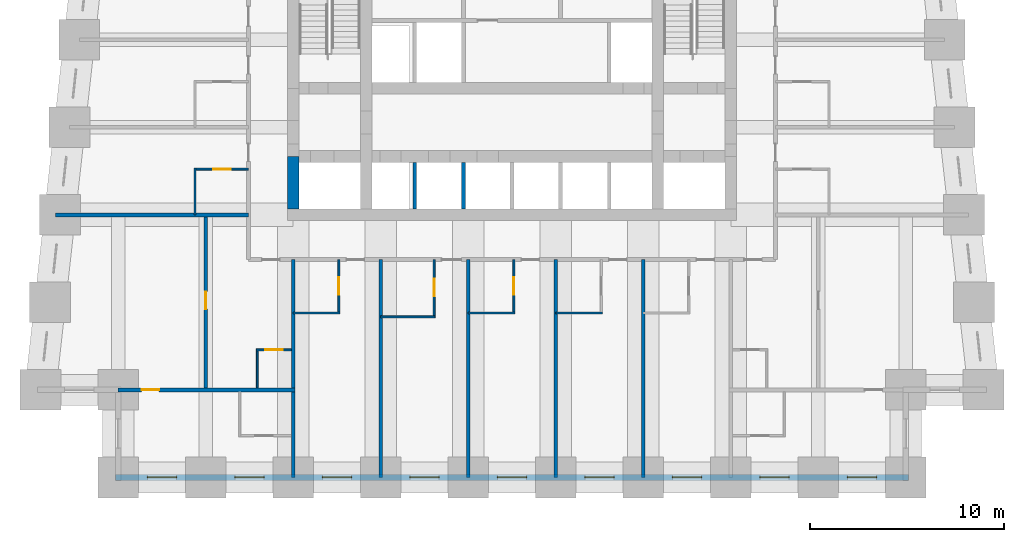
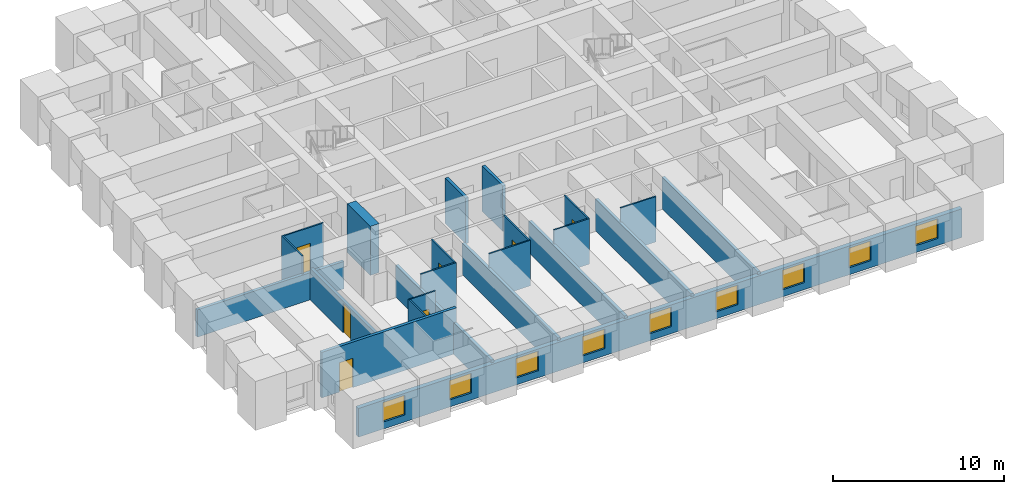
# One storey, part 2 of 8: 23 walls, 9 windows, 7 doors, 16 openings.
"""IFC4 building model written with IfcOpenShell, lengths in metres."""

from ifc_helpers import new_model, si_unit, direction, frame, frame_2d, origin, place, context, subcontext, project, spatial, rectangle, extrude, material, layer, layer_set, type_object, element, fill, save


model = new_model("IFC4")

# Units and contexts
model_context = context("Model", 3, precision=1e-05, world=origin(), true_north=direction((0.0, 1.0)))
body_context = subcontext(model_context, "Body", "Model", "MODEL_VIEW")
ifc_project = project(units=[si_unit("LENGTHUNIT", "METRE"), si_unit("AREAUNIT", "SQUARE_METRE"), si_unit("VOLUMEUNIT", "CUBIC_METRE"), si_unit("PLANEANGLEUNIT", "RADIAN"), si_unit("MASSUNIT", "GRAM", prefix="KILO")], contexts=[model_context])

# Site, building, storey
site_placement = place(None, origin())
site = spatial("IfcSite", under=ifc_project, at=site_placement, CompositionType="ELEMENT")
building_placement = place(site_placement, origin())
building = spatial("IfcBuilding", under=site, at=building_placement, Name="Kilele Tower Hotel", CompositionType="ELEMENT")
storey_placement = place(building_placement, frame((0.0, 0.0, 33.199951171875)))
storey = spatial("IfcBuildingStorey", under=building, at=storey_placement, Name="L06", CompositionType="ELEMENT", Elevation=33.199951171875)

# Wall
ifc_material_1 = material(Name="Moisture-resistant board")
ifc_layer_1 = layer(ifc_material_1, 0.10009765625)
ifc_layer_set_1 = layer_set([ifc_layer_1], Name="Moisture-resistant board")
wall_type_1 = type_object("IfcWallType", Name="Bathroom partition 100", PredefinedType="PLUMBINGWALL", material=ifc_layer_set_1)
wall_1_placement = place(storey_placement, frame((13.5, 8.449951171875, 0.0), z_axis=(0.0, 0.0, 1.0), x_axis=(1.0, 0.0, 0.0)))
element("IfcWall", 1, at=wall_1_placement, inside=storey, type_object=wall_type_1, Name="Bathroom partition 100 L06", PredefinedType="PLUMBINGWALL", context=body_context, shape_type="SweptSolid", body=[
    extrude(rectangle(XDim=2.39990234375, YDim=0.10009765625, at=frame_2d((1.199951171875, 0.0))), origin(), (0.0, 0.0, 1.0), 3.25),
])

# Wall, opening, door
wall_2_placement = place(storey_placement, frame((15.85009765625, 11.199951171875, 0.0), z_axis=(0.0, 0.0, 1.0), x_axis=(0.0, -1.0, 0.0)))
wall_2 = element("IfcWall", 2, at=wall_2_placement, inside=storey, type_object=wall_type_1, Name="Bathroom partition 100 L06", PredefinedType="PLUMBINGWALL", context=body_context, shape_type="SweptSolid", body=[
    extrude(rectangle(XDim=2.800048828125, YDim=0.10009765625, at=frame_2d((1.39990234375, 0.0))), origin(), (0.0, 0.0, 1.0), 3.25),
])
opening_1_placement = place(wall_2_placement, frame((0.89990234375, 0.0, 0.0)))
opening_1 = element("IfcOpeningElement", 3, at=opening_1_placement, cuts=wall_2, Name="Opening D2A", PredefinedType="OPENING", context=body_context, shape_type="SweptSolid", body=[
    extrude(rectangle(XDim=0.89990234375, YDim=2.10009765625, at=frame_2d((0.449951171875, 1.050048828125))), frame((0.0, 0.06005859375, 0.0), z_axis=(0.0, -1.0, 0.0), x_axis=(1.0, 0.0, 0.0)), (0.0, 0.0, 1.0), 0.1201171875),
])
ifc_material_2 = material(Name="Timber door leaf in hardwood frame", Category="wood")
door_type_1 = type_object("IfcDoorType", Name="Bathroom door 900", OperationType="SINGLE_SWING_LEFT", PredefinedType="DOOR", material=ifc_material_2)
door_1_placement = place(opening_1_placement, origin())
door_1 = element("IfcDoor", 4, at=door_1_placement, inside=storey, type_object=door_type_1, Name="Bathroom door 0601B", OperationType="SINGLE_SWING_LEFT", OverallHeight=2.10009765625, OverallWidth=0.89990234375, PredefinedType="DOOR", context=body_context, shape_type="SweptSolid", body=[
    extrude(rectangle(XDim=0.89990234375, YDim=2.10009765625, at=frame_2d((0.449951171875, 1.050048828125))), frame((0.0, 0.02490234375, 0.0), z_axis=(0.0, -1.0, 0.0), x_axis=(1.0, 0.0, 0.0)), (0.0, 0.0, 1.0), 0.050048828125),
])
fill(opening_1, door_1)

# Wall
wall_3_placement = place(storey_placement, frame((18.0, 8.25, 0.0), z_axis=(0.0, 0.0, 1.0), x_axis=(1.0, 0.0, 0.0)))
element("IfcWall", 5, at=wall_3_placement, inside=storey, type_object=wall_type_1, Name="Bathroom partition 100 L06", PredefinedType="PLUMBINGWALL", context=body_context, shape_type="SweptSolid", body=[
    extrude(rectangle(XDim=2.800048828125, YDim=0.10009765625, at=frame_2d((1.39990234375, 0.0))), origin(), (0.0, 0.0, 1.0), 3.25),
])

# Wall, opening, door
wall_4_placement = place(storey_placement, frame((20.75, 11.199951171875, 0.0), z_axis=(0.0, 0.0, 1.0), x_axis=(0.0, -1.0, 0.0)))
wall_4 = element("IfcWall", 6, at=wall_4_placement, inside=storey, type_object=wall_type_1, Name="Bathroom partition 100 L06", PredefinedType="PLUMBINGWALL", context=body_context, shape_type="SweptSolid", body=[
    extrude(rectangle(XDim=3.0, YDim=0.10009765625, at=frame_2d((1.5, 0.0))), origin(), (0.0, 0.0, 1.0), 3.25),
])
opening_2_placement = place(wall_4_placement, frame((1.0, 0.0, 0.0)))
opening_2 = element("IfcOpeningElement", 7, at=opening_2_placement, cuts=wall_4, Name="Opening D2A", PredefinedType="OPENING", context=body_context, shape_type="SweptSolid", body=[
    extrude(rectangle(XDim=0.89990234375, YDim=2.10009765625, at=frame_2d((0.449951171875, 1.050048828125))), frame((0.0, 0.06005859375, 0.0), z_axis=(0.0, -1.0, 0.0), x_axis=(1.0, 0.0, 0.0)), (0.0, 0.0, 1.0), 0.1201171875),
])
door_2_placement = place(opening_2_placement, origin())
door_2 = element("IfcDoor", 8, at=door_2_placement, inside=storey, type_object=door_type_1, Name="Bathroom door 0602B", OperationType="SINGLE_SWING_LEFT", OverallHeight=2.10009765625, OverallWidth=0.89990234375, PredefinedType="DOOR", context=body_context, shape_type="SweptSolid", body=[
    extrude(rectangle(XDim=0.89990234375, YDim=2.10009765625, at=frame_2d((0.449951171875, 1.050048828125))), frame((0.0, 0.02490234375, 0.0), z_axis=(0.0, -1.0, 0.0), x_axis=(1.0, 0.0, 0.0)), (0.0, 0.0, 1.0), 0.050048828125),
])
fill(opening_2, door_2)

# Wall
wall_5_placement = place(storey_placement, frame((22.5, 8.449951171875, 0.0), z_axis=(0.0, 0.0, 1.0), x_axis=(1.0, 0.0, 0.0)))
element("IfcWall", 9, at=wall_5_placement, inside=storey, type_object=wall_type_1, Name="Bathroom partition 100 L06", PredefinedType="PLUMBINGWALL", context=body_context, shape_type="SweptSolid", body=[
    extrude(rectangle(XDim=2.39990234375, YDim=0.10009765625, at=frame_2d((1.199951171875, 0.0))), origin(), (0.0, 0.0, 1.0), 3.25),
])

# Wall, opening, door
wall_6_placement = place(storey_placement, frame((24.85009765625, 11.199951171875, 0.0), z_axis=(0.0, 0.0, 1.0), x_axis=(0.0, -1.0, 0.0)))
wall_6 = element("IfcWall", 10, at=wall_6_placement, inside=storey, type_object=wall_type_1, Name="Bathroom partition 100 L06", PredefinedType="PLUMBINGWALL", context=body_context, shape_type="SweptSolid", body=[
    extrude(rectangle(XDim=2.800048828125, YDim=0.10009765625, at=frame_2d((1.39990234375, 0.0))), origin(), (0.0, 0.0, 1.0), 3.25),
])
opening_3_placement = place(wall_6_placement, frame((0.89990234375, 0.0, 0.0)))
opening_3 = element("IfcOpeningElement", 11, at=opening_3_placement, cuts=wall_6, Name="Opening D2A", PredefinedType="OPENING", context=body_context, shape_type="SweptSolid", body=[
    extrude(rectangle(XDim=0.89990234375, YDim=2.10009765625, at=frame_2d((0.449951171875, 1.050048828125))), frame((0.0, 0.06005859375, 0.0), z_axis=(0.0, -1.0, 0.0), x_axis=(1.0, 0.0, 0.0)), (0.0, 0.0, 1.0), 0.1201171875),
])
door_3_placement = place(opening_3_placement, origin())
door_3 = element("IfcDoor", 12, at=door_3_placement, inside=storey, type_object=door_type_1, Name="Bathroom door 0603B", OperationType="SINGLE_SWING_LEFT", OverallHeight=2.10009765625, OverallWidth=0.89990234375, PredefinedType="DOOR", context=body_context, shape_type="SweptSolid", body=[
    extrude(rectangle(XDim=0.89990234375, YDim=2.10009765625, at=frame_2d((0.449951171875, 1.050048828125))), frame((0.0, 0.02490234375, 0.0), z_axis=(0.0, -1.0, 0.0), x_axis=(1.0, 0.0, 0.0)), (0.0, 0.0, 1.0), 0.050048828125),
])
fill(opening_3, door_3)

# Walls
for number, where, z_axis, x_axis, name in (
    (13, (27.0, 8.449951171875, 0.0), (0.0, 0.0, 1.0), (1.0, 0.0, 0.0), "Bathroom partition 100 L06"),
    (14, (8.449951171875, 13.5, 0.0), (0.0, 0.0, 1.0), (0.0, 1.0, 0.0), "Bathroom partition 100 L06"),
):
    element("IfcWall", number, at=place(storey_placement, frame(where, z_axis=z_axis, x_axis=x_axis)), inside=storey, type_object=wall_type_1, Name=name, PredefinedType="PLUMBINGWALL", context=body_context, shape_type="SweptSolid", body=[
        extrude(rectangle(XDim=2.39990234375, YDim=0.10009765625, at=frame_2d((1.199951171875, 0.0))), origin(), (0.0, 0.0, 1.0), 3.25),
    ])

# Wall, opening, door
wall_7_placement = place(storey_placement, frame((11.199951171875, 15.85009765625, 0.0), z_axis=(0.0, 0.0, 1.0), x_axis=(-1.0, 0.0, 0.0)))
wall_7 = element("IfcWall", 15, at=wall_7_placement, inside=storey, type_object=wall_type_1, Name="Bathroom partition 100 L06", PredefinedType="PLUMBINGWALL", context=body_context, shape_type="SweptSolid", body=[
    extrude(rectangle(XDim=2.800048828125, YDim=0.10009765625, at=frame_2d((1.39990234375, 0.0))), origin(), (0.0, 0.0, 1.0), 3.25),
])
opening_4_placement = place(wall_7_placement, frame((1.7998046875, 0.0, 0.0), z_axis=(0.0, 0.0, 1.0), x_axis=(-1.0, 0.0, 0.0)))
opening_4 = element("IfcOpeningElement", 16, at=opening_4_placement, cuts=wall_7, Name="Opening D2A", PredefinedType="OPENING", context=body_context, shape_type="SweptSolid", body=[
    extrude(rectangle(XDim=0.89990234375, YDim=2.10009765625, at=frame_2d((0.449951171875, 1.050048828125))), frame((0.0, 0.06005859375, 0.0), z_axis=(0.0, -1.0, 0.0), x_axis=(1.0, 0.0, 0.0)), (0.0, 0.0, 1.0), 0.1201171875),
])
door_4_placement = place(opening_4_placement, origin())
door_4 = element("IfcDoor", 17, at=door_4_placement, inside=storey, type_object=door_type_1, Name="Bathroom door 0614B", OperationType="SINGLE_SWING_RIGHT", OverallHeight=2.10009765625, OverallWidth=0.89990234375, PredefinedType="DOOR", context=body_context, shape_type="SweptSolid", body=[
    extrude(rectangle(XDim=0.89990234375, YDim=2.10009765625, at=frame_2d((0.449951171875, 1.050048828125))), frame((0.0, 0.02490234375, 0.0), z_axis=(0.0, -1.0, 0.0), x_axis=(1.0, 0.0, 0.0)), (0.0, 0.0, 1.0), 0.050048828125),
])
fill(opening_4, door_4)

# Wall
wall_8_placement = place(storey_placement, frame((11.64990234375, 4.60009765625, 0.0), z_axis=(0.0, 0.0, 1.0), x_axis=(0.0, 1.0, 0.0)))
element("IfcWall", 18, at=wall_8_placement, inside=storey, type_object=wall_type_1, Name="Bathroom partition 100 L06", PredefinedType="PLUMBINGWALL", context=body_context, shape_type="SweptSolid", body=[
    extrude(rectangle(XDim=2.0, YDim=0.10009765625, at=frame_2d((1.0, 0.0))), origin(), (0.0, 0.0, 1.0), 3.25),
])

# Wall, opening, door
wall_9_placement = place(storey_placement, frame((13.39990234375, 6.550048828125, 0.0), z_axis=(0.0, 0.0, 1.0), x_axis=(-1.0, 0.0, 0.0)))
wall_9 = element("IfcWall", 19, at=wall_9_placement, inside=storey, type_object=wall_type_1, Name="Bathroom partition 100 L06", PredefinedType="PLUMBINGWALL", context=body_context, shape_type="SweptSolid", body=[
    extrude(rectangle(XDim=1.7998046875, YDim=0.10009765625, at=frame_2d((0.89990234375, 0.0))), origin(), (0.0, 0.0, 1.0), 3.25),
])
opening_5_placement = place(wall_9_placement, frame((1.349853515625, 0.0, 0.0), z_axis=(0.0, 0.0, 1.0), x_axis=(-1.0, 0.0, 0.0)))
opening_5 = element("IfcOpeningElement", 20, at=opening_5_placement, cuts=wall_9, Name="Opening D2A", PredefinedType="OPENING", context=body_context, shape_type="SweptSolid", body=[
    extrude(rectangle(XDim=0.89990234375, YDim=2.10009765625, at=frame_2d((0.449951171875, 1.050048828125))), frame((0.0, 0.06005859375, 0.0), z_axis=(0.0, -1.0, 0.0), x_axis=(1.0, 0.0, 0.0)), (0.0, 0.0, 1.0), 0.1201171875),
])
door_5_placement = place(opening_5_placement, origin())
door_5 = element("IfcDoor", 21, at=door_5_placement, inside=storey, type_object=door_type_1, Name="Bathroom door 0617P", OperationType="SINGLE_SWING_RIGHT", OverallHeight=2.10009765625, OverallWidth=0.89990234375, PredefinedType="DOOR", context=body_context, shape_type="SweptSolid", body=[
    extrude(rectangle(XDim=0.89990234375, YDim=2.10009765625, at=frame_2d((0.449951171875, 1.050048828125))), frame((0.0, 0.02490234375, 0.0), z_axis=(0.0, -1.0, 0.0), x_axis=(1.0, 0.0, 0.0)), (0.0, 0.0, 1.0), 0.050048828125),
])
fill(opening_5, door_5)

# Wall
ifc_material_3 = material(Name="Concrete C60/75", Category="concrete")
ifc_layer_2 = layer(ifc_material_3, 0.60009765625)
ifc_layer_set_2 = layer_set([ifc_layer_2], Name="Concrete C60/75")
wall_type_2 = type_object("IfcWallType", Name="Core wall 600 C60/75", PredefinedType="SHEAR", material=ifc_layer_set_2)
wall_10_placement = place(storey_placement, frame((13.5, 16.5, 0.0), z_axis=(0.0, 0.0, 1.0), x_axis=(0.0, -1.0, 0.0)))
element("IfcWall", 22, at=wall_10_placement, inside=storey, type_object=wall_type_2, Name="Core wall W3 L06", PredefinedType="SHEAR", context=body_context, shape_type="SweptSolid", body=[
    extrude(rectangle(XDim=2.699951171875, YDim=0.60009765625, at=frame_2d((1.35009765625, 0.0))), origin(), (0.0, 0.0, 1.0), 3.5),
])

# Wall, opening, door
ifc_material_4 = material(Name="Blockwork, plastered both sides", Category="masonry")
ifc_layer_3 = layer(ifc_material_4, 0.199951171875)
ifc_layer_set_3 = layer_set([ifc_layer_3], Name="Blockwork, plastered both sides")
wall_type_3 = type_object("IfcWallType", Name="Partition wall 200", PredefinedType="PARTITIONING", material=ifc_layer_set_3)
wall_11_placement = place(storey_placement, frame((9.0, 4.60009765625, 0.0), z_axis=(0.0, 0.0, 1.0), x_axis=(0.0, 1.0, 0.0)))
wall_11 = element("IfcWall", 23, at=wall_11_placement, inside=storey, type_object=wall_type_3, Name="Partition wall 200 L06", PredefinedType="PARTITIONING", context=body_context, shape_type="SweptSolid", body=[
    extrude(rectangle(XDim=8.7998046875, YDim=0.199951171875, at=frame_2d((4.39990234375, 0.0))), origin(), (0.0, 0.0, 1.0), 2.25),
])
opening_6_placement = place(wall_11_placement, frame((4.050048828125, 0.0, 0.0)))
opening_6 = element("IfcOpeningElement", 24, at=opening_6_placement, cuts=wall_11, Name="Opening D3", PredefinedType="OPENING", context=body_context, shape_type="SweptSolid", body=[
    extrude(rectangle(XDim=0.89990234375, YDim=2.10009765625, at=frame_2d((0.449951171875, 1.050048828125))), frame((0.0, 0.10986328125, 0.0), z_axis=(0.0, -1.0, 0.0), x_axis=(1.0, 0.0, 0.0)), (0.0, 0.0, 1.0), 0.219970703125),
])
ifc_material_5 = material(Name="Timber door leaf in hardwood frame", Category="wood")
door_type_2 = type_object("IfcDoorType", Name="Suite internal door 900", OperationType="SINGLE_SWING_LEFT", PredefinedType="DOOR", material=ifc_material_5)
door_6_placement = place(opening_6_placement, origin())
door_6 = element("IfcDoor", 25, at=door_6_placement, inside=storey, type_object=door_type_2, Name="Suite door 0618", OperationType="SINGLE_SWING_RIGHT", OverallHeight=2.10009765625, OverallWidth=0.89990234375, PredefinedType="DOOR", context=body_context, shape_type="SweptSolid", body=[
    extrude(rectangle(XDim=0.89990234375, YDim=2.10009765625, at=frame_2d((0.449951171875, 1.050048828125))), frame((0.0, 0.02490234375, 0.0), z_axis=(0.0, -1.0, 0.0), x_axis=(1.0, 0.0, 0.0)), (0.0, 0.0, 1.0), 0.050048828125),
])
fill(opening_6, door_6)

# Walls
ifc_material_6 = material(Name="Blockwork, plastered both sides", Category="masonry")
ifc_layer_4 = layer(ifc_material_6, 0.199951171875)
ifc_layer_set_4 = layer_set([ifc_layer_4], Name="Blockwork, plastered both sides")
wall_type_4 = type_object("IfcWallType", Name="Party wall 200", PredefinedType="PARTITIONING", material=ifc_layer_set_4)
for number, where, z_axis, x_axis, name in (
    (26, (18.0, 11.199951171875, 0.0), (0.0, 0.0, 1.0), (0.0, -1.0, 0.0), "Party wall 200 L06"),
    (27, (22.5, 11.199951171875, 0.0), (0.0, 0.0, 1.0), (0.0, -1.0, 0.0), "Party wall 200 L06"),
    (28, (27.0, 11.199951171875, 0.0), (0.0, 0.0, 1.0), (0.0, -1.0, 0.0), "Party wall 200 L06"),
    (29, (31.5, 11.199951171875, 0.0), (0.0, 0.0, 1.0), (0.0, -1.0, 0.0), "Party wall 200 L06"),
):
    element("IfcWall", number, at=place(storey_placement, frame(where, z_axis=z_axis, x_axis=x_axis)), inside=storey, type_object=wall_type_4, Name=name, PredefinedType="PARTITIONING", context=body_context, shape_type="SweptSolid", body=[
        extrude(rectangle(XDim=11.199951171875, YDim=0.199951171875, at=frame_2d((5.60009765625, 0.0))), origin(), (0.0, 0.0, 1.0), 2.25),
    ])
wall_12_placement = place(storey_placement, frame((11.199951171875, 13.5, 0.0), z_axis=(0.0, 0.0, 1.0), x_axis=(-1.0, 0.0, 0.0)))
element("IfcWall", 30, at=wall_12_placement, inside=storey, type_object=wall_type_4, Name="Party wall 200 L06", PredefinedType="PARTITIONING", context=body_context, shape_type="SweptSolid", body=[
    extrude(rectangle(XDim=9.921142578125, YDim=0.199951171875, at=frame_2d((4.96044921875, 0.0))), origin(), (0.0, 0.0, 1.0), 1.949951171875),
])
wall_13_placement = place(storey_placement, frame((13.5, 11.199951171875, 0.0), z_axis=(0.0, 0.0, 1.0), x_axis=(0.0, -1.0, 0.0)))
element("IfcWall", 31, at=wall_13_placement, inside=storey, type_object=wall_type_4, Name="Party wall 200 L06", PredefinedType="PARTITIONING", context=body_context, shape_type="SweptSolid", body=[
    extrude(rectangle(XDim=11.199951171875, YDim=0.199951171875, at=frame_2d((5.60009765625, 0.0))), origin(), (0.0, 0.0, 1.0), 2.25),
])

# Wall, opening, door
wall_14_placement = place(storey_placement, frame((13.60009765625, 4.5, 0.0), z_axis=(0.0, 0.0, 1.0), x_axis=(-1.0, 0.0, 0.0)))
wall_14 = element("IfcWall", 32, at=wall_14_placement, inside=storey, type_object=wall_type_4, Name="Party wall 200 L06", PredefinedType="PARTITIONING", context=body_context, shape_type="SweptSolid", body=[
    extrude(rectangle(XDim=9.10009765625, YDim=0.199951171875, at=frame_2d((4.550048828125, 0.0))), origin(), (0.0, 0.0, 1.0), 3.25),
])
opening_7_placement = place(wall_14_placement, frame((7.0, 0.0, 0.0)))
opening_7 = element("IfcOpeningElement", 33, at=opening_7_placement, cuts=wall_14, Name="Opening D3", PredefinedType="OPENING", context=body_context, shape_type="SweptSolid", body=[
    extrude(rectangle(XDim=0.89990234375, YDim=2.10009765625, at=frame_2d((0.449951171875, 1.050048828125))), frame((0.0, 0.10986328125, 0.0), z_axis=(0.0, -1.0, 0.0), x_axis=(1.0, 0.0, 0.0)), (0.0, 0.0, 1.0), 0.219970703125),
])
door_7_placement = place(opening_7_placement, origin())
door_7 = element("IfcDoor", 34, at=door_7_placement, inside=storey, type_object=door_type_2, Name="Suite door 0619", OperationType="SINGLE_SWING_RIGHT", OverallHeight=2.10009765625, OverallWidth=0.89990234375, PredefinedType="DOOR", context=body_context, shape_type="SweptSolid", body=[
    extrude(rectangle(XDim=0.89990234375, YDim=2.10009765625, at=frame_2d((0.449951171875, 1.050048828125))), frame((0.0, 0.02490234375, 0.0), z_axis=(0.0, -1.0, 0.0), x_axis=(1.0, 0.0, 0.0)), (0.0, 0.0, 1.0), 0.050048828125),
])
fill(opening_7, door_7)

# Wall, openings, windows
ifc_material_7 = material(Name="Concrete C40/50 precast", Category="concrete")
ifc_layer_5 = layer(ifc_material_7, 0.260009765625, Name="Precast backing", Category="LoadBearing")
ifc_material_8 = material(Name="Reconstituted stone finish", Category="masonry")
ifc_layer_6 = layer(ifc_material_8, 0.0400390625, Name="Face mix", Category="Finish")
ifc_layer_set_5 = layer_set([ifc_layer_5, ifc_layer_6], Name="Precast concrete C40/50, reconstituted stone finish")
wall_type_5 = type_object("IfcWallType", Name="Precast stone facade wall 300", PredefinedType="STANDARD", material=ifc_layer_set_5)
wall_15_placement = place(storey_placement, frame((4.35009765625, 0.0, 0.0), z_axis=(0.0, 0.0, 1.0), x_axis=(1.0, 0.0, 0.0)))
wall_15 = element("IfcWall", 35, at=wall_15_placement, inside=storey, type_object=wall_type_5, Name="Facade wall L06 edge 3", PredefinedType="STANDARD", context=body_context, shape_type="SweptSolid", body=[
    extrude(rectangle(XDim=40.7998046875, YDim=0.300048828125, at=frame_2d((20.39990234375, 0.0))), origin(), (0.0, 0.0, 1.0), 2.050048828125),
])
opening_8_placement = place(wall_15_placement, frame((1.64990234375, 0.0, 0.5)))
opening_8 = element("IfcOpeningElement", 36, at=opening_8_placement, cuts=wall_15, Name="Opening W1", PredefinedType="OPENING", context=body_context, shape_type="SweptSolid", body=[
    extrude(rectangle(XDim=1.5, YDim=1.39990234375, at=frame_2d((0.75, 0.699951171875))), frame((0.0, 0.159912109375, 0.0), z_axis=(0.0, -1.0, 0.0), x_axis=(1.0, 0.0, 0.0)), (0.0, 0.0, 1.0), 0.320068359375),
])
opening_9_placement = place(wall_15_placement, frame((6.14990234375, 0.0, 0.5)))
opening_9 = element("IfcOpeningElement", 37, at=opening_9_placement, cuts=wall_15, Name="Opening W1", PredefinedType="OPENING", context=body_context, shape_type="SweptSolid", body=[
    extrude(rectangle(XDim=1.5, YDim=1.39990234375, at=frame_2d((0.75, 0.699951171875))), frame((0.0, 0.159912109375, 0.0), z_axis=(0.0, -1.0, 0.0), x_axis=(1.0, 0.0, 0.0)), (0.0, 0.0, 1.0), 0.320068359375),
])
opening_10_placement = place(wall_15_placement, frame((10.64990234375, 0.0, 0.5)))
opening_10 = element("IfcOpeningElement", 38, at=opening_10_placement, cuts=wall_15, Name="Opening W1", PredefinedType="OPENING", context=body_context, shape_type="SweptSolid", body=[
    extrude(rectangle(XDim=1.5, YDim=1.39990234375, at=frame_2d((0.75, 0.699951171875))), frame((0.0, 0.159912109375, 0.0), z_axis=(0.0, -1.0, 0.0), x_axis=(1.0, 0.0, 0.0)), (0.0, 0.0, 1.0), 0.320068359375),
])
opening_11_placement = place(wall_15_placement, frame((15.14990234375, 0.0, 0.5)))
opening_11 = element("IfcOpeningElement", 39, at=opening_11_placement, cuts=wall_15, Name="Opening W1", PredefinedType="OPENING", context=body_context, shape_type="SweptSolid", body=[
    extrude(rectangle(XDim=1.5, YDim=1.39990234375, at=frame_2d((0.75, 0.699951171875))), frame((0.0, 0.159912109375, 0.0), z_axis=(0.0, -1.0, 0.0), x_axis=(1.0, 0.0, 0.0)), (0.0, 0.0, 1.0), 0.320068359375),
])
opening_12_placement = place(wall_15_placement, frame((19.64990234375, 0.0, 0.5)))
opening_12 = element("IfcOpeningElement", 40, at=opening_12_placement, cuts=wall_15, Name="Opening W1", PredefinedType="OPENING", context=body_context, shape_type="SweptSolid", body=[
    extrude(rectangle(XDim=1.5, YDim=1.39990234375, at=frame_2d((0.75, 0.699951171875))), frame((0.0, 0.159912109375, 0.0), z_axis=(0.0, -1.0, 0.0), x_axis=(1.0, 0.0, 0.0)), (0.0, 0.0, 1.0), 0.320068359375),
])
opening_13_placement = place(wall_15_placement, frame((24.14990234375, 0.0, 0.5)))
opening_13 = element("IfcOpeningElement", 41, at=opening_13_placement, cuts=wall_15, Name="Opening W1", PredefinedType="OPENING", context=body_context, shape_type="SweptSolid", body=[
    extrude(rectangle(XDim=1.5, YDim=1.39990234375, at=frame_2d((0.75, 0.699951171875))), frame((0.0, 0.159912109375, 0.0), z_axis=(0.0, -1.0, 0.0), x_axis=(1.0, 0.0, 0.0)), (0.0, 0.0, 1.0), 0.320068359375),
])
opening_14_placement = place(wall_15_placement, frame((28.64990234375, 0.0, 0.5)))
opening_14 = element("IfcOpeningElement", 42, at=opening_14_placement, cuts=wall_15, Name="Opening W1", PredefinedType="OPENING", context=body_context, shape_type="SweptSolid", body=[
    extrude(rectangle(XDim=1.5, YDim=1.39990234375, at=frame_2d((0.75, 0.699951171875))), frame((0.0, 0.159912109375, 0.0), z_axis=(0.0, -1.0, 0.0), x_axis=(1.0, 0.0, 0.0)), (0.0, 0.0, 1.0), 0.320068359375),
])
opening_15_placement = place(wall_15_placement, frame((33.14990234375, 0.0, 0.5)))
opening_15 = element("IfcOpeningElement", 43, at=opening_15_placement, cuts=wall_15, Name="Opening W1", PredefinedType="OPENING", context=body_context, shape_type="SweptSolid", body=[
    extrude(rectangle(XDim=1.5, YDim=1.39990234375, at=frame_2d((0.75, 0.699951171875))), frame((0.0, 0.159912109375, 0.0), z_axis=(0.0, -1.0, 0.0), x_axis=(1.0, 0.0, 0.0)), (0.0, 0.0, 1.0), 0.320068359375),
])
opening_16_placement = place(wall_15_placement, frame((37.64990234375, 0.0, 0.5)))
opening_16 = element("IfcOpeningElement", 44, at=opening_16_placement, cuts=wall_15, Name="Opening W1", PredefinedType="OPENING", context=body_context, shape_type="SweptSolid", body=[
    extrude(rectangle(XDim=1.5, YDim=1.39990234375, at=frame_2d((0.75, 0.699951171875))), frame((0.0, 0.159912109375, 0.0), z_axis=(0.0, -1.0, 0.0), x_axis=(1.0, 0.0, 0.0)), (0.0, 0.0, 1.0), 0.320068359375),
])
ifc_material_9 = material(Name="Aluminium frame, clear double glazing", Category="aluminium")
window_type = type_object("IfcWindowType", Name="Window W1 1500 x 1400", PartitioningType="SINGLE_PANEL", PredefinedType="WINDOW", material=ifc_material_9)
window_1_placement = place(opening_8_placement, origin())
window_1 = element("IfcWindow", 45, at=window_1_placement, inside=storey, type_object=window_type, Name="Window L06", OverallHeight=1.39990234375, OverallWidth=1.5, PartitioningType="SINGLE_PANEL", PredefinedType="WINDOW", context=body_context, shape_type="SweptSolid", body=[
    extrude(rectangle(XDim=1.5, YDim=1.39990234375, at=frame_2d((0.75, 0.699951171875))), frame((0.0, 0.030029296875, 0.0), z_axis=(0.0, -1.0, 0.0), x_axis=(1.0, 0.0, 0.0)), (0.0, 0.0, 1.0), 0.06005859375),
])
fill(opening_8, window_1)
window_2_placement = place(opening_9_placement, origin())
window_2 = element("IfcWindow", 46, at=window_2_placement, inside=storey, type_object=window_type, Name="Window L06", OverallHeight=1.39990234375, OverallWidth=1.5, PartitioningType="SINGLE_PANEL", PredefinedType="WINDOW", context=body_context, shape_type="SweptSolid", body=[
    extrude(rectangle(XDim=1.5, YDim=1.39990234375, at=frame_2d((0.75, 0.699951171875))), frame((0.0, 0.030029296875, 0.0), z_axis=(0.0, -1.0, 0.0), x_axis=(1.0, 0.0, 0.0)), (0.0, 0.0, 1.0), 0.06005859375),
])
fill(opening_9, window_2)
window_3_placement = place(opening_10_placement, origin())
window_3 = element("IfcWindow", 47, at=window_3_placement, inside=storey, type_object=window_type, Name="Window L06", OverallHeight=1.39990234375, OverallWidth=1.5, PartitioningType="SINGLE_PANEL", PredefinedType="WINDOW", context=body_context, shape_type="SweptSolid", body=[
    extrude(rectangle(XDim=1.5, YDim=1.39990234375, at=frame_2d((0.75, 0.699951171875))), frame((0.0, 0.030029296875, 0.0), z_axis=(0.0, -1.0, 0.0), x_axis=(1.0, 0.0, 0.0)), (0.0, 0.0, 1.0), 0.06005859375),
])
fill(opening_10, window_3)
window_4_placement = place(opening_11_placement, origin())
window_4 = element("IfcWindow", 48, at=window_4_placement, inside=storey, type_object=window_type, Name="Window L06", OverallHeight=1.39990234375, OverallWidth=1.5, PartitioningType="SINGLE_PANEL", PredefinedType="WINDOW", context=body_context, shape_type="SweptSolid", body=[
    extrude(rectangle(XDim=1.5, YDim=1.39990234375, at=frame_2d((0.75, 0.699951171875))), frame((0.0, 0.030029296875, 0.0), z_axis=(0.0, -1.0, 0.0), x_axis=(1.0, 0.0, 0.0)), (0.0, 0.0, 1.0), 0.06005859375),
])
fill(opening_11, window_4)
window_5_placement = place(opening_12_placement, origin())
window_5 = element("IfcWindow", 49, at=window_5_placement, inside=storey, type_object=window_type, Name="Window L06", OverallHeight=1.39990234375, OverallWidth=1.5, PartitioningType="SINGLE_PANEL", PredefinedType="WINDOW", context=body_context, shape_type="SweptSolid", body=[
    extrude(rectangle(XDim=1.5, YDim=1.39990234375, at=frame_2d((0.75, 0.699951171875))), frame((0.0, 0.030029296875, 0.0), z_axis=(0.0, -1.0, 0.0), x_axis=(1.0, 0.0, 0.0)), (0.0, 0.0, 1.0), 0.06005859375),
])
fill(opening_12, window_5)
window_6_placement = place(opening_13_placement, origin())
window_6 = element("IfcWindow", 50, at=window_6_placement, inside=storey, type_object=window_type, Name="Window L06", OverallHeight=1.39990234375, OverallWidth=1.5, PartitioningType="SINGLE_PANEL", PredefinedType="WINDOW", context=body_context, shape_type="SweptSolid", body=[
    extrude(rectangle(XDim=1.5, YDim=1.39990234375, at=frame_2d((0.75, 0.699951171875))), frame((0.0, 0.030029296875, 0.0), z_axis=(0.0, -1.0, 0.0), x_axis=(1.0, 0.0, 0.0)), (0.0, 0.0, 1.0), 0.06005859375),
])
fill(opening_13, window_6)
window_7_placement = place(opening_14_placement, origin())
window_7 = element("IfcWindow", 51, at=window_7_placement, inside=storey, type_object=window_type, Name="Window L06", OverallHeight=1.39990234375, OverallWidth=1.5, PartitioningType="SINGLE_PANEL", PredefinedType="WINDOW", context=body_context, shape_type="SweptSolid", body=[
    extrude(rectangle(XDim=1.5, YDim=1.39990234375, at=frame_2d((0.75, 0.699951171875))), frame((0.0, 0.030029296875, 0.0), z_axis=(0.0, -1.0, 0.0), x_axis=(1.0, 0.0, 0.0)), (0.0, 0.0, 1.0), 0.06005859375),
])
fill(opening_14, window_7)
window_8_placement = place(opening_15_placement, origin())
window_8 = element("IfcWindow", 52, at=window_8_placement, inside=storey, type_object=window_type, Name="Window L06", OverallHeight=1.39990234375, OverallWidth=1.5, PartitioningType="SINGLE_PANEL", PredefinedType="WINDOW", context=body_context, shape_type="SweptSolid", body=[
    extrude(rectangle(XDim=1.5, YDim=1.39990234375, at=frame_2d((0.75, 0.699951171875))), frame((0.0, 0.030029296875, 0.0), z_axis=(0.0, -1.0, 0.0), x_axis=(1.0, 0.0, 0.0)), (0.0, 0.0, 1.0), 0.06005859375),
])
fill(opening_15, window_8)
window_9_placement = place(opening_16_placement, origin())
window_9 = element("IfcWindow", 53, at=window_9_placement, inside=storey, type_object=window_type, Name="Window L06", OverallHeight=1.39990234375, OverallWidth=1.5, PartitioningType="SINGLE_PANEL", PredefinedType="WINDOW", context=body_context, shape_type="SweptSolid", body=[
    extrude(rectangle(XDim=1.5, YDim=1.39990234375, at=frame_2d((0.75, 0.699951171875))), frame((0.0, 0.030029296875, 0.0), z_axis=(0.0, -1.0, 0.0), x_axis=(1.0, 0.0, 0.0)), (0.0, 0.0, 1.0), 0.06005859375),
])
fill(opening_16, window_9)

# Walls
ifc_material_10 = material(Name="Blockwork, fire-rated", Category="masonry")
ifc_layer_7 = layer(ifc_material_10, 0.199951171875)
ifc_layer_set_6 = layer_set([ifc_layer_7], Name="Blockwork, fire-rated")
wall_type_6 = type_object("IfcWallType", Name="Shaft wall 200", PredefinedType="PARTITIONING", material=ifc_layer_set_6)
for number, where, z_axis, x_axis, name in (
    (54, (19.75, 13.800048828125, 0.0), (0.0, 0.0, 1.0), (0.0, 1.0, 0.0), "Shaft wall 200 L06"),
    (55, (22.25, 13.800048828125, 0.0), (0.0, 0.0, 1.0), (0.0, 1.0, 0.0), "Shaft wall 200 L06"),
):
    element("IfcWall", number, at=place(storey_placement, frame(where, z_axis=z_axis, x_axis=x_axis)), inside=storey, type_object=wall_type_6, Name=name, PredefinedType="PARTITIONING", context=body_context, shape_type="SweptSolid", body=[
        extrude(rectangle(XDim=2.39990234375, YDim=0.199951171875, at=frame_2d((1.199951171875, 0.0))), origin(), (0.0, 0.0, 1.0), 3.25),
    ])

save(model, "model.ifc")
